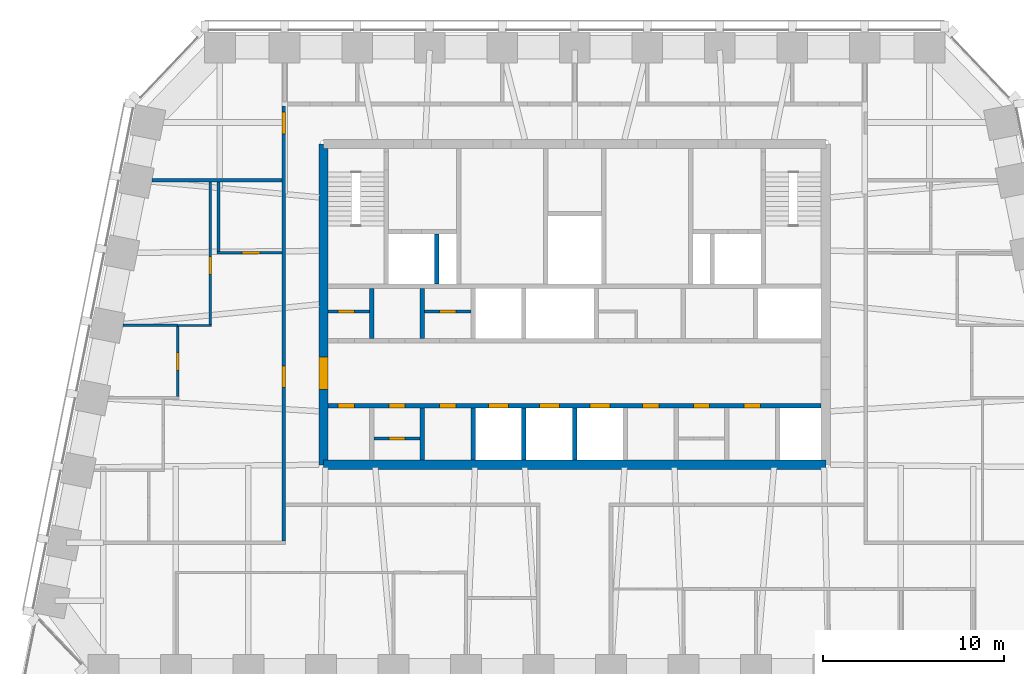
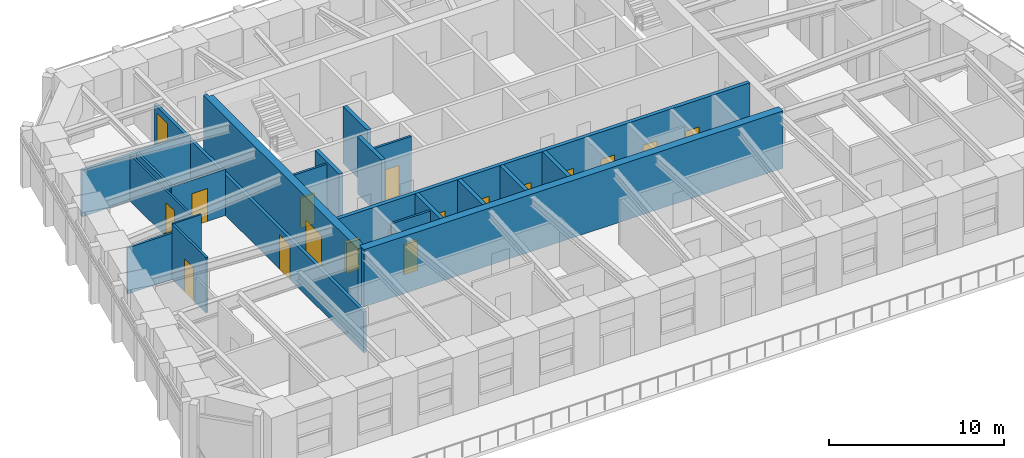
# One storey, part 5 of 11: 21 walls, 18 doors, 18 openings.
"""IFC4 building model written with IfcOpenShell, lengths in metres."""

from ifc_helpers import new_model, si_unit, direction, frame, frame_2d, origin, place, context, subcontext, project, spatial, polyline, rectangle, outline, extrude, material, layer, layer_set, type_object, element, fill, save


model = new_model("IFC4")

# Units and contexts
model_context = context("Model", 3, precision=1e-05, world=origin(), true_north=direction((0.0, 1.0)))
body_context = subcontext(model_context, "Body", "Model", "MODEL_VIEW")
ifc_project = project(units=[si_unit("LENGTHUNIT", "METRE"), si_unit("AREAUNIT", "SQUARE_METRE"), si_unit("VOLUMEUNIT", "CUBIC_METRE"), si_unit("PLANEANGLEUNIT", "RADIAN"), si_unit("MASSUNIT", "GRAM", prefix="KILO")], contexts=[model_context])

# Site, building, storey
site_placement = place(None, origin())
site = spatial("IfcSite", under=ifc_project, at=site_placement, CompositionType="ELEMENT")
building_placement = place(site_placement, origin())
building = spatial("IfcBuilding", under=site, at=building_placement, Name="Isbrekke Arena Tower", CompositionType="ELEMENT")
storey_placement = place(building_placement, frame((0.0, 0.0, 284.0)))
storey = spatial("IfcBuildingStorey", under=building, at=storey_placement, Name="L66", CompositionType="ELEMENT", Elevation=284.0)

# Wall
ifc_material_1 = material(Name="Concrete B55 (C55/67)", Category="concrete")
ifc_layer_1 = layer(ifc_material_1, 0.5)
ifc_layer_set_1 = layer_set([ifc_layer_1], Name="CW5 CORE WALL 500")
wall_type_1 = type_object("IfcWallType", Name="CW5 CORE WALL 500", PredefinedType="SHEAR", material=ifc_layer_set_1)
wall_1_placement = place(storey_placement, frame((-13.85009765625, 6.14990234375, 0.0), z_axis=(0.0, 0.0, 1.0), x_axis=(1.0, 0.0, 0.0)))
element("IfcWall", 1, at=wall_1_placement, inside=storey, type_object=wall_type_1, Name="Core wall S L66", PredefinedType="SHEAR", context=body_context, shape_type="SweptSolid", body=[
    extrude(rectangle(XDim=27.7001953125, YDim=0.5, at=frame_2d((13.85009765625, 0.0))), origin(), (0.0, 0.0, 1.0), 4.0),
])

# Wall, opening, door
wall_2_placement = place(storey_placement, frame((-13.85009765625, 23.85009765625, 0.0), z_axis=(0.0, 0.0, 1.0), x_axis=(0.0, -1.0, 0.0)))
wall_2 = element("IfcWall", 2, at=wall_2_placement, inside=storey, type_object=wall_type_1, Name="Core wall W L66", PredefinedType="SHEAR", context=body_context, shape_type="SweptSolid", body=[
    extrude(outline(polyline([(0.0, -0.25), (17.7001953125, -0.25), (17.7001953125, 0.0), (17.4501953125, 0.0), (17.4501953125, 0.25), (0.25, 0.25), (0.25, 0.0), (0.0, 0.0), (0.0, -0.25)])), origin(), (0.0, 0.0, 1.0), 4.0),
])
opening_1_placement = place(wall_2_placement, frame((11.75, 0.0, 0.0)))
opening_1 = element("IfcOpeningElement", 3, at=opening_1_placement, cuts=wall_2, Name="Opening D1", PredefinedType="OPENING", context=body_context, shape_type="SweptSolid", body=[
    extrude(rectangle(XDim=1.800048828125, YDim=2.39990234375, at=frame_2d((0.89990234375, 1.199951171875))), frame((0.0, 0.264892578125, 0.0), z_axis=(0.0, -1.0, 0.0), x_axis=(1.0, 0.0, 0.0)), (0.0, 0.0, 1.0), 0.52978515625),
])
ifc_material_2 = material(Name="Steel-framed glazed fire door", Category="steel")
door_type_1 = type_object("IfcDoorType", Name="D1 CORE LOBBY DOOR 1800 x 2400", OperationType="DOUBLE_DOOR_SINGLE_SWING", PredefinedType="DOOR", material=ifc_material_2)
door_1_placement = place(opening_1_placement, origin())
door_1 = element("IfcDoor", 4, at=door_1_placement, inside=storey, type_object=door_type_1, Name="D1 lift lobby door west L66", OperationType="DOUBLE_DOOR_SINGLE_SWING", OverallHeight=2.39990234375, OverallWidth=1.800048828125, PredefinedType="DOOR", context=body_context, shape_type="SweptSolid", body=[
    extrude(rectangle(XDim=1.800048828125, YDim=2.39990234375, at=frame_2d((0.89990234375, 1.199951171875))), frame((0.0, 0.249755859375, 0.0), z_axis=(0.0, -1.0, 0.0), x_axis=(1.0, 0.0, 0.0)), (0.0, 0.0, 1.0), 0.49951171875),
])
fill(opening_1, door_1)

# Wall, openings, doors
ifc_material_3 = material(Name="Concrete B45 (C45/55)", Category="concrete")
ifc_layer_2 = layer(ifc_material_3, 0.25)
ifc_layer_set_2 = layer_set([ifc_layer_2], Name="CW6 SHAFT WALL 250")
wall_type_2 = type_object("IfcWallType", Name="CW6 SHAFT WALL 250", PredefinedType="SHEAR", material=ifc_layer_set_2)
wall_3_placement = place(storey_placement, frame((-13.60009765625, 9.39990234375, 0.0), z_axis=(0.0, 0.0, 1.0), x_axis=(1.0, 0.0, 0.0)))
wall_3 = element("IfcWall", 5, at=wall_3_placement, inside=storey, type_object=wall_type_2, Name="Core wall LS L66", PredefinedType="SHEAR", context=body_context, shape_type="SweptSolid", body=[
    extrude(rectangle(XDim=27.2001953125, YDim=0.25, at=frame_2d((13.60009765625, 0.0))), origin(), (0.0, 0.0, 1.0), 4.0),
])
opening_2_placement = place(wall_3_placement, frame((8.85009765625, 0.0, 0.0)))
opening_2 = element("IfcOpeningElement", 6, at=opening_2_placement, cuts=wall_3, Name="Opening LD1", PredefinedType="OPENING", context=body_context, shape_type="SweptSolid", body=[
    extrude(rectangle(XDim=1.10009765625, YDim=2.10009765625, at=frame_2d((0.550048828125, 1.050048828125))), frame((0.0, 0.139892578125, 0.0), z_axis=(0.0, -1.0, 0.0), x_axis=(1.0, 0.0, 0.0)), (0.0, 0.0, 1.0), 0.27978515625),
])
opening_3_placement = place(wall_3_placement, frame((11.64990234375, 0.0, 0.0)))
opening_3 = element("IfcOpeningElement", 7, at=opening_3_placement, cuts=wall_3, Name="Opening LD1", PredefinedType="OPENING", context=body_context, shape_type="SweptSolid", body=[
    extrude(rectangle(XDim=1.10009765625, YDim=2.10009765625, at=frame_2d((0.550048828125, 1.050048828125))), frame((0.0, 0.139892578125, 0.0), z_axis=(0.0, -1.0, 0.0), x_axis=(1.0, 0.0, 0.0)), (0.0, 0.0, 1.0), 0.27978515625),
])
opening_4_placement = place(wall_3_placement, frame((14.449951171875, 0.0, 0.0)))
opening_4 = element("IfcOpeningElement", 8, at=opening_4_placement, cuts=wall_3, Name="Opening LD1", PredefinedType="OPENING", context=body_context, shape_type="SweptSolid", body=[
    extrude(rectangle(XDim=1.10009765625, YDim=2.10009765625, at=frame_2d((0.550048828125, 1.050048828125))), frame((0.0, 0.139892578125, 0.0), z_axis=(0.0, -1.0, 0.0), x_axis=(1.0, 0.0, 0.0)), (0.0, 0.0, 1.0), 0.27978515625),
])
opening_5_placement = place(wall_3_placement, frame((0.550048828125, 0.0, 0.0)))
opening_5 = element("IfcOpeningElement", 9, at=opening_5_placement, cuts=wall_3, Name="Opening D5", PredefinedType="OPENING", context=body_context, shape_type="SweptSolid", body=[
    extrude(rectangle(XDim=0.89990234375, YDim=2.10009765625, at=frame_2d((0.449951171875, 1.050048828125))), frame((0.0, 0.139892578125, 0.0), z_axis=(0.0, -1.0, 0.0), x_axis=(1.0, 0.0, 0.0)), (0.0, 0.0, 1.0), 0.27978515625),
])
opening_6_placement = place(wall_3_placement, frame((3.35009765625, 0.0, 0.0)))
opening_6 = element("IfcOpeningElement", 10, at=opening_6_placement, cuts=wall_3, Name="Opening D5", PredefinedType="OPENING", context=body_context, shape_type="SweptSolid", body=[
    extrude(rectangle(XDim=0.89990234375, YDim=2.10009765625, at=frame_2d((0.449951171875, 1.050048828125))), frame((0.0, 0.139892578125, 0.0), z_axis=(0.0, -1.0, 0.0), x_axis=(1.0, 0.0, 0.0)), (0.0, 0.0, 1.0), 0.27978515625),
])
opening_7_placement = place(wall_3_placement, frame((6.14990234375, 0.0, 0.0)))
opening_7 = element("IfcOpeningElement", 11, at=opening_7_placement, cuts=wall_3, Name="Opening D5", PredefinedType="OPENING", context=body_context, shape_type="SweptSolid", body=[
    extrude(rectangle(XDim=0.89990234375, YDim=2.10009765625, at=frame_2d((0.449951171875, 1.050048828125))), frame((0.0, 0.139892578125, 0.0), z_axis=(0.0, -1.0, 0.0), x_axis=(1.0, 0.0, 0.0)), (0.0, 0.0, 1.0), 0.27978515625),
])
opening_8_placement = place(wall_3_placement, frame((17.35009765625, 0.0, 0.0)))
opening_8 = element("IfcOpeningElement", 12, at=opening_8_placement, cuts=wall_3, Name="Opening D5", PredefinedType="OPENING", context=body_context, shape_type="SweptSolid", body=[
    extrude(rectangle(XDim=0.89990234375, YDim=2.10009765625, at=frame_2d((0.449951171875, 1.050048828125))), frame((0.0, 0.139892578125, 0.0), z_axis=(0.0, -1.0, 0.0), x_axis=(1.0, 0.0, 0.0)), (0.0, 0.0, 1.0), 0.27978515625),
])
opening_9_placement = place(wall_3_placement, frame((20.14990234375, 0.0, 0.0)))
opening_9 = element("IfcOpeningElement", 13, at=opening_9_placement, cuts=wall_3, Name="Opening D5", PredefinedType="OPENING", context=body_context, shape_type="SweptSolid", body=[
    extrude(rectangle(XDim=0.89990234375, YDim=2.10009765625, at=frame_2d((0.449951171875, 1.050048828125))), frame((0.0, 0.139892578125, 0.0), z_axis=(0.0, -1.0, 0.0), x_axis=(1.0, 0.0, 0.0)), (0.0, 0.0, 1.0), 0.27978515625),
])
opening_10_placement = place(wall_3_placement, frame((22.949951171875, 0.0, 0.0)))
opening_10 = element("IfcOpeningElement", 14, at=opening_10_placement, cuts=wall_3, Name="Opening D5", PredefinedType="OPENING", context=body_context, shape_type="SweptSolid", body=[
    extrude(rectangle(XDim=0.89990234375, YDim=2.10009765625, at=frame_2d((0.449951171875, 1.050048828125))), frame((0.0, 0.139892578125, 0.0), z_axis=(0.0, -1.0, 0.0), x_axis=(1.0, 0.0, 0.0)), (0.0, 0.0, 1.0), 0.27978515625),
])
ifc_material_4 = material(Name="Steel fire door", Category="steel")
door_type_2 = type_object("IfcDoorType", Name="D5 SERVICE DOOR 900 x 2100", OperationType="SINGLE_SWING_LEFT", PredefinedType="DOOR", material=ifc_material_4)
door_2_placement = place(opening_5_placement, origin())
door_2 = element("IfcDoor", 15, at=door_2_placement, inside=storey, type_object=door_type_2, Name="D5 print room door L66", OperationType="SINGLE_SWING_LEFT", OverallHeight=2.10009765625, OverallWidth=0.89990234375, PredefinedType="DOOR", context=body_context, shape_type="SweptSolid", body=[
    extrude(rectangle(XDim=0.89990234375, YDim=2.10009765625, at=frame_2d((0.449951171875, 1.050048828125))), frame((0.0, 0.124755859375, 0.0), z_axis=(0.0, -1.0, 0.0), x_axis=(1.0, 0.0, 0.0)), (0.0, 0.0, 1.0), 0.24951171875),
])
fill(opening_5, door_2)
door_3_placement = place(opening_6_placement, origin())
door_3 = element("IfcDoor", 16, at=door_3_placement, inside=storey, type_object=door_type_2, Name="D5 pantry door L66", OperationType="SINGLE_SWING_LEFT", OverallHeight=2.10009765625, OverallWidth=0.89990234375, PredefinedType="DOOR", context=body_context, shape_type="SweptSolid", body=[
    extrude(rectangle(XDim=0.89990234375, YDim=2.10009765625, at=frame_2d((0.449951171875, 1.050048828125))), frame((0.0, 0.124755859375, 0.0), z_axis=(0.0, -1.0, 0.0), x_axis=(1.0, 0.0, 0.0)), (0.0, 0.0, 1.0), 0.24951171875),
])
fill(opening_6, door_3)
door_4_placement = place(opening_7_placement, origin())
door_4 = element("IfcDoor", 17, at=door_4_placement, inside=storey, type_object=door_type_2, Name="D5 tenant store door L66", OperationType="SINGLE_SWING_LEFT", OverallHeight=2.10009765625, OverallWidth=0.89990234375, PredefinedType="DOOR", context=body_context, shape_type="SweptSolid", body=[
    extrude(rectangle(XDim=0.89990234375, YDim=2.10009765625, at=frame_2d((0.449951171875, 1.050048828125))), frame((0.0, 0.124755859375, 0.0), z_axis=(0.0, -1.0, 0.0), x_axis=(1.0, 0.0, 0.0)), (0.0, 0.0, 1.0), 0.24951171875),
])
fill(opening_7, door_4)
door_5_placement = place(opening_8_placement, origin())
door_5 = element("IfcDoor", 18, at=door_5_placement, inside=storey, type_object=door_type_2, Name="D5 technical room door L66", OperationType="SINGLE_SWING_LEFT", OverallHeight=2.10009765625, OverallWidth=0.89990234375, PredefinedType="DOOR", context=body_context, shape_type="SweptSolid", body=[
    extrude(rectangle(XDim=0.89990234375, YDim=2.10009765625, at=frame_2d((0.449951171875, 1.050048828125))), frame((0.0, 0.124755859375, 0.0), z_axis=(0.0, -1.0, 0.0), x_axis=(1.0, 0.0, 0.0)), (0.0, 0.0, 1.0), 0.24951171875),
])
fill(opening_8, door_5)
door_6_placement = place(opening_9_placement, origin())
door_6 = element("IfcDoor", 19, at=door_6_placement, inside=storey, type_object=door_type_2, Name="D5 tea point door L66", OperationType="SINGLE_SWING_LEFT", OverallHeight=2.10009765625, OverallWidth=0.89990234375, PredefinedType="DOOR", context=body_context, shape_type="SweptSolid", body=[
    extrude(rectangle(XDim=0.89990234375, YDim=2.10009765625, at=frame_2d((0.449951171875, 1.050048828125))), frame((0.0, 0.124755859375, 0.0), z_axis=(0.0, -1.0, 0.0), x_axis=(1.0, 0.0, 0.0)), (0.0, 0.0, 1.0), 0.24951171875),
])
fill(opening_9, door_6)
door_7_placement = place(opening_10_placement, origin())
door_7 = element("IfcDoor", 20, at=door_7_placement, inside=storey, type_object=door_type_2, Name="D5 print room door L66", OperationType="SINGLE_SWING_LEFT", OverallHeight=2.10009765625, OverallWidth=0.89990234375, PredefinedType="DOOR", context=body_context, shape_type="SweptSolid", body=[
    extrude(rectangle(XDim=0.89990234375, YDim=2.10009765625, at=frame_2d((0.449951171875, 1.050048828125))), frame((0.0, 0.124755859375, 0.0), z_axis=(0.0, -1.0, 0.0), x_axis=(1.0, 0.0, 0.0)), (0.0, 0.0, 1.0), 0.24951171875),
])
fill(opening_10, door_7)
ifc_material_5 = material(Name="Stainless steel lift landing door", Category="steel")
door_type_3 = type_object("IfcDoorType", Name="LD1 LIFT LANDING DOOR 1100 x 2100", OperationType="SLIDING_TO_LEFT", PredefinedType="DOOR", material=ifc_material_5)
door_8_placement = place(opening_2_placement, origin())
door_8 = element("IfcDoor", 21, at=door_8_placement, inside=storey, type_object=door_type_3, Name="LD1 lift landing door LE L66", OperationType="SLIDING_TO_LEFT", OverallHeight=2.10009765625, OverallWidth=1.10009765625, PredefinedType="DOOR", context=body_context, shape_type="SweptSolid", body=[
    extrude(rectangle(XDim=1.10009765625, YDim=2.10009765625, at=frame_2d((0.550048828125, 1.050048828125))), frame((0.0, 0.124755859375, 0.0), z_axis=(0.0, -1.0, 0.0), x_axis=(1.0, 0.0, 0.0)), (0.0, 0.0, 1.0), 0.24951171875),
])
fill(opening_2, door_8)
door_9_placement = place(opening_3_placement, origin())
door_9 = element("IfcDoor", 22, at=door_9_placement, inside=storey, type_object=door_type_3, Name="LD1 lift landing door LE L66", OperationType="SLIDING_TO_LEFT", OverallHeight=2.10009765625, OverallWidth=1.10009765625, PredefinedType="DOOR", context=body_context, shape_type="SweptSolid", body=[
    extrude(rectangle(XDim=1.10009765625, YDim=2.10009765625, at=frame_2d((0.550048828125, 1.050048828125))), frame((0.0, 0.124755859375, 0.0), z_axis=(0.0, -1.0, 0.0), x_axis=(1.0, 0.0, 0.0)), (0.0, 0.0, 1.0), 0.24951171875),
])
fill(opening_3, door_9)
door_10_placement = place(opening_4_placement, origin())
door_10 = element("IfcDoor", 23, at=door_10_placement, inside=storey, type_object=door_type_3, Name="LD1 lift landing door LE L66", OperationType="SLIDING_TO_LEFT", OverallHeight=2.10009765625, OverallWidth=1.10009765625, PredefinedType="DOOR", context=body_context, shape_type="SweptSolid", body=[
    extrude(rectangle(XDim=1.10009765625, YDim=2.10009765625, at=frame_2d((0.550048828125, 1.050048828125))), frame((0.0, 0.124755859375, 0.0), z_axis=(0.0, -1.0, 0.0), x_axis=(1.0, 0.0, 0.0)), (0.0, 0.0, 1.0), 0.24951171875),
])
fill(opening_4, door_10)

# Walls
for number, where, z_axis, x_axis, name in (
    (24, (-8.39990234375, 6.39990234375, 0.0), (0.0, 0.0, 1.0), (0.0, 1.0, 0.0), "Core wall SS02 L66"),
    (25, (-5.60009765625, 6.39990234375, 0.0), (0.0, 0.0, 1.0), (0.0, 1.0, 0.0), "Core wall SS03 L66"),
    (26, (-2.800048828125, 6.39990234375, 0.0), (0.0, 0.0, 1.0), (0.0, 1.0, 0.0), "Core wall SS04 L66"),
    (27, (0.0, 6.39990234375, 0.0), (0.0, 0.0, 1.0), (0.0, 1.0, 0.0), "Core wall SS05 L66"),
):
    element("IfcWall", number, at=place(storey_placement, frame(where, z_axis=z_axis, x_axis=x_axis)), inside=storey, type_object=wall_type_2, Name=name, PredefinedType="SHEAR", context=body_context, shape_type="SweptSolid", body=[
        extrude(rectangle(XDim=2.875, YDim=0.25, at=frame_2d((1.4375, 0.0))), origin(), (0.0, 0.0, 1.0), 4.0),
    ])
for number, where, z_axis, x_axis, name in (
    (28, (-11.199951171875, 13.125, 0.0), (0.0, 0.0, 1.0), (0.0, 1.0, 0.0), "Core wall SN01 L66"),
    (29, (-8.39990234375, 13.125, 0.0), (0.0, 0.0, 1.0), (0.0, 1.0, 0.0), "Core wall SN02 L66"),
    (30, (-7.60009765625, 16.125, 0.0), (0.0, 0.0, 1.0), (0.0, 1.0, 0.0), "Core wall NFS1 L66"),
):
    element("IfcWall", number, at=place(storey_placement, frame(where, z_axis=z_axis, x_axis=x_axis)), inside=storey, type_object=wall_type_2, Name=name, PredefinedType="SHEAR", context=body_context, shape_type="SweptSolid", body=[
        extrude(rectangle(XDim=2.75, YDim=0.25, at=frame_2d((1.375, 0.0))), origin(), (0.0, 0.0, 1.0), 4.0),
    ])
ifc_material_6 = material(Name="Gypsum board partition on steel studs", Category="steel")
ifc_layer_3 = layer(ifc_material_6, 0.14990234375)
ifc_layer_set_3 = layer_set([ifc_layer_3], Name="IW1 PARTITION 150")
wall_type_3 = type_object("IfcWallType", Name="IW1 PARTITION 150", PredefinedType="PARTITIONING", material=ifc_layer_set_3)
wall_4_placement = place(storey_placement, frame((-24.923828125, 13.840087890625, 0.0), z_axis=(0.0, 0.0, 1.0), x_axis=(1.0, 0.0, 0.0)))
element("IfcWall", 31, at=wall_4_placement, inside=storey, type_object=wall_type_3, Name="IW1 partition 150 L66", PredefinedType="PARTITIONING", context=body_context, shape_type="SweptSolid", body=[
    extrude(rectangle(XDim=3.02392578125, YDim=0.14990234375, at=frame_2d((1.511962890625, 0.0))), origin(), (0.0, 0.0, 1.0), 3.22998046875),
])

# Wall, opening, door
wall_5_placement = place(storey_placement, frame((-19.72509765625, 17.840087890625, 0.0), z_axis=(0.0, 0.0, 1.0), x_axis=(1.0, 0.0, 0.0)))
wall_5 = element("IfcWall", 32, at=wall_5_placement, inside=storey, type_object=wall_type_3, Name="IW1 partition 150 L66", PredefinedType="PARTITIONING", context=body_context, shape_type="SweptSolid", body=[
    extrude(rectangle(XDim=3.5751953125, YDim=0.14990234375, at=frame_2d((1.78759765625, 0.0))), origin(), (0.0, 0.0, 1.0), 3.22998046875),
])
opening_11_placement = place(wall_5_placement, frame((1.375, 0.0, 0.0)))
opening_11 = element("IfcOpeningElement", 33, at=opening_11_placement, cuts=wall_5, Name="Opening D10", PredefinedType="OPENING", context=body_context, shape_type="SweptSolid", body=[
    extrude(rectangle(XDim=1.0, YDim=2.300048828125, at=frame_2d((0.5, 1.14990234375))), frame((0.0, 0.08984375, 0.0), z_axis=(0.0, -1.0, 0.0), x_axis=(1.0, 0.0, 0.0)), (0.0, 0.0, 1.0), 0.1796875),
])
ifc_material_7 = material(Name="Timber door", Category="wood")
door_type_4 = type_object("IfcDoorType", Name="D10 OFFICE DOOR 1000 x 2300", OperationType="SINGLE_SWING_LEFT", PredefinedType="DOOR", material=ifc_material_7)
door_11_placement = place(opening_11_placement, origin())
door_11 = element("IfcDoor", 34, at=door_11_placement, inside=storey, type_object=door_type_4, Name="D10 print room door L66", OperationType="SINGLE_SWING_LEFT", OverallHeight=2.300048828125, OverallWidth=1.0, PredefinedType="DOOR", context=body_context, shape_type="SweptSolid", body=[
    extrude(rectangle(XDim=1.0, YDim=2.300048828125, at=frame_2d((0.5, 1.14990234375))), frame((0.0, 0.07470703125, 0.0), z_axis=(0.0, -1.0, 0.0), x_axis=(1.0, 0.0, 0.0)), (0.0, 0.0, 1.0), 0.1494140625),
])
fill(opening_11, door_11)

wall_6_placement = place(storey_placement, frame((-21.89990234375, 9.9150390625, 0.0), z_axis=(0.0, 0.0, 1.0), x_axis=(0.0, 1.0, 0.0)))
wall_6 = element("IfcWall", 35, at=wall_6_placement, inside=storey, type_object=wall_type_3, Name="IW1 partition 150 L66", PredefinedType="PARTITIONING", context=body_context, shape_type="SweptSolid", body=[
    extrude(rectangle(XDim=3.849853515625, YDim=0.14990234375, at=frame_2d((1.9248046875, 0.0))), origin(), (0.0, 0.0, 1.0), 3.85009765625),
])
opening_12_placement = place(wall_6_placement, frame((1.425048828125, 0.0, 0.0)))
opening_12 = element("IfcOpeningElement", 36, at=opening_12_placement, cuts=wall_6, Name="Opening D10", PredefinedType="OPENING", context=body_context, shape_type="SweptSolid", body=[
    extrude(rectangle(XDim=1.0, YDim=2.300048828125, at=frame_2d((0.5, 1.14990234375))), frame((0.0, 0.08984375, 0.0), z_axis=(0.0, -1.0, 0.0), x_axis=(1.0, 0.0, 0.0)), (0.0, 0.0, 1.0), 0.1796875),
])
door_12_placement = place(opening_12_placement, origin())
door_12 = element("IfcDoor", 37, at=door_12_placement, inside=storey, type_object=door_type_4, Name="D10 office door L66", OperationType="SINGLE_SWING_LEFT", OverallHeight=2.300048828125, OverallWidth=1.0, PredefinedType="DOOR", context=body_context, shape_type="SweptSolid", body=[
    extrude(rectangle(XDim=1.0, YDim=2.300048828125, at=frame_2d((0.5, 1.14990234375))), frame((0.0, 0.07470703125, 0.0), z_axis=(0.0, -1.0, 0.0), x_axis=(1.0, 0.0, 0.0)), (0.0, 0.0, 1.0), 0.1494140625),
])
fill(opening_12, door_12)

# Walls
wall_7_placement = place(storey_placement, frame((-19.64990234375, 17.9150390625, 0.0), z_axis=(0.0, 0.0, 1.0), x_axis=(0.0, 1.0, 0.0)))
element("IfcWall", 38, at=wall_7_placement, inside=storey, type_object=wall_type_3, Name="IW1 partition 150 L66", PredefinedType="PARTITIONING", context=body_context, shape_type="SweptSolid", body=[
    extrude(rectangle(XDim=3.824951171875, YDim=0.14990234375, at=frame_2d((1.91259765625, 0.0))), origin(), (0.0, 0.0, 1.0), 3.22998046875),
])
ifc_material_8 = material(Name="Frameless glazed partition, laminated acoustic glass", Category="glass")
ifc_layer_4 = layer(ifc_material_8, 0.1201171875)
ifc_layer_set_4 = layer_set([ifc_layer_4], Name="IW2 GLAZED PARTITION 120")
wall_type_4 = type_object("IfcWallType", Name="IW2 GLAZED PARTITION 120", PredefinedType="PARTITIONING", material=ifc_layer_set_4)
wall_8_placement = place(storey_placement, frame((-21.89990234375, 13.840087890625, 0.0), z_axis=(0.0, 0.0, 1.0), x_axis=(1.0, 0.0, 0.0)))
element("IfcWall", 39, at=wall_8_placement, inside=storey, type_object=wall_type_4, Name="IW2 glazed partition 120 L66", PredefinedType="PARTITIONING", context=body_context, shape_type="SweptSolid", body=[
    extrude(rectangle(XDim=1.85986328125, YDim=0.1201171875, at=frame_2d((0.929931640625, 0.0))), origin(), (0.0, 0.0, 1.0), 3.85009765625),
])

# Wall, opening, door
wall_9_placement = place(storey_placement, frame((-20.10009765625, 13.89990234375, 0.0), z_axis=(0.0, 0.0, 1.0), x_axis=(0.0, 1.0, 0.0)))
wall_9 = element("IfcWall", 40, at=wall_9_placement, inside=storey, type_object=wall_type_4, Name="IW2 glazed partition 120 L66", PredefinedType="PARTITIONING", context=body_context, shape_type="SweptSolid", body=[
    extrude(rectangle(XDim=7.840087890625, YDim=0.1201171875, at=frame_2d((3.919921875, 0.0))), origin(), (0.0, 0.0, 1.0), 3.22998046875),
])
opening_13_placement = place(wall_9_placement, frame((2.739990234375, 0.0, 0.0)))
opening_13 = element("IfcOpeningElement", 41, at=opening_13_placement, cuts=wall_9, Name="Opening D11", PredefinedType="OPENING", context=body_context, shape_type="SweptSolid", body=[
    extrude(rectangle(XDim=1.0, YDim=2.39990234375, at=frame_2d((0.5, 1.199951171875))), frame((0.0, 0.074951171875, 0.0), z_axis=(0.0, -1.0, 0.0), x_axis=(1.0, 0.0, 0.0)), (0.0, 0.0, 1.0), 0.14990234375),
])
ifc_material_9 = material(Name="Frameless glazed door", Category="glass")
door_type_5 = type_object("IfcDoorType", Name="D11 GLAZED MEETING ROOM DOOR 1000 x 2400", OperationType="SINGLE_SWING_RIGHT", PredefinedType="DOOR", material=ifc_material_9)
door_13_placement = place(opening_13_placement, origin())
door_13 = element("IfcDoor", 42, at=door_13_placement, inside=storey, type_object=door_type_5, Name="D11 meeting room door L66", OperationType="SINGLE_SWING_RIGHT", OverallHeight=2.39990234375, OverallWidth=1.0, PredefinedType="DOOR", context=body_context, shape_type="SweptSolid", body=[
    extrude(rectangle(XDim=1.0, YDim=2.39990234375, at=frame_2d((0.5, 1.199951171875))), frame((0.0, 0.059814453125, 0.0), z_axis=(0.0, -1.0, 0.0), x_axis=(1.0, 0.0, 0.0)), (0.0, 0.0, 1.0), 0.11962890625),
])
fill(opening_13, door_13)

# Wall
ifc_material_10 = material(Name="Gypsum board fire-cell wall on steel studs, two layers each side", Category="steel")
ifc_layer_5 = layer(ifc_material_10, 0.199951171875)
ifc_layer_set_5 = layer_set([ifc_layer_5], Name="IW3 FIRE-CELL WALL 200")
wall_type_5 = type_object("IfcWallType", Name="IW3 FIRE-CELL WALL 200", PredefinedType="PARTITIONING", material=ifc_layer_set_5)
wall_10_placement = place(storey_placement, frame((-23.32373046875, 21.840087890625, 0.0), z_axis=(0.0, 0.0, 1.0), x_axis=(1.0, 0.0, 0.0)))
element("IfcWall", 43, at=wall_10_placement, inside=storey, type_object=wall_type_5, Name="IW3 fire-cell wall 200 L66", PredefinedType="PARTITIONING", context=body_context, shape_type="SweptSolid", body=[
    extrude(rectangle(XDim=7.173828125, YDim=0.199951171875, at=frame_2d((3.5869140625, 0.0))), origin(), (0.0, 0.0, 1.0), 3.22998046875),
])

# Wall, openings, doors
wall_11_placement = place(storey_placement, frame((-16.050048828125, 1.93994140625, 0.0), z_axis=(0.0, 0.0, 1.0), x_axis=(0.0, 1.0, 0.0)))
wall_11 = element("IfcWall", 44, at=wall_11_placement, inside=storey, type_object=wall_type_5, Name="IW3 fire-cell wall 200 L66", PredefinedType="PARTITIONING", context=body_context, shape_type="SweptSolid", body=[
    extrude(rectangle(XDim=24.010009765625, YDim=0.199951171875, at=frame_2d((12.0048828125, 0.0))), origin(), (0.0, 0.0, 1.0), 2.842041015625),
])
opening_14_placement = place(wall_11_placement, frame((8.4599609375, 0.0, 0.0)))
opening_14 = element("IfcOpeningElement", 45, at=opening_14_placement, cuts=wall_11, Name="Opening D12", PredefinedType="OPENING", context=body_context, shape_type="SweptSolid", body=[
    extrude(rectangle(XDim=1.199951171875, YDim=2.39990234375, at=frame_2d((0.60009765625, 1.199951171875))), frame((0.0, 0.11474609375, 0.0), z_axis=(0.0, -1.0, 0.0), x_axis=(1.0, 0.0, 0.0)), (0.0, 0.0, 1.0), 0.229736328125),
])
opening_15_placement = place(wall_11_placement, frame((22.4599609375, 0.0, 0.0)))
opening_15 = element("IfcOpeningElement", 46, at=opening_15_placement, cuts=wall_11, Name="Opening D12", PredefinedType="OPENING", context=body_context, shape_type="SweptSolid", body=[
    extrude(rectangle(XDim=1.199951171875, YDim=2.39990234375, at=frame_2d((0.60009765625, 1.199951171875))), frame((0.0, 0.11474609375, 0.0), z_axis=(0.0, -1.0, 0.0), x_axis=(1.0, 0.0, 0.0)), (0.0, 0.0, 1.0), 0.229736328125),
])
ifc_material_11 = material(Name="Timber fire door with vision panel", Category="wood")
door_type_6 = type_object("IfcDoorType", Name="D12 SUITE ENTRANCE DOOR 1200 x 2400", OperationType="SINGLE_SWING_LEFT", PredefinedType="DOOR", material=ifc_material_11)
door_14_placement = place(opening_14_placement, origin())
door_14 = element("IfcDoor", 47, at=door_14_placement, inside=storey, type_object=door_type_6, Name="D12 suite entrance W door L66", OperationType="SINGLE_SWING_LEFT", OverallHeight=2.39990234375, OverallWidth=1.199951171875, PredefinedType="DOOR", context=body_context, shape_type="SweptSolid", body=[
    extrude(rectangle(XDim=1.199951171875, YDim=2.39990234375, at=frame_2d((0.60009765625, 1.199951171875))), frame((0.0, 0.099609375, 0.0), z_axis=(0.0, -1.0, 0.0), x_axis=(1.0, 0.0, 0.0)), (0.0, 0.0, 1.0), 0.199462890625),
])
fill(opening_14, door_14)
door_15_placement = place(opening_15_placement, origin())
door_15 = element("IfcDoor", 48, at=door_15_placement, inside=storey, type_object=door_type_6, Name="D12 suite entrance NCW door L66", OperationType="SINGLE_SWING_LEFT", OverallHeight=2.39990234375, OverallWidth=1.199951171875, PredefinedType="DOOR", context=body_context, shape_type="SweptSolid", body=[
    extrude(rectangle(XDim=1.199951171875, YDim=2.39990234375, at=frame_2d((0.60009765625, 1.199951171875))), frame((0.0, 0.099609375, 0.0), z_axis=(0.0, -1.0, 0.0), x_axis=(1.0, 0.0, 0.0)), (0.0, 0.0, 1.0), 0.199462890625),
])
fill(opening_15, door_15)

# Wall, opening, door
ifc_material_12 = material(Name="Gypsum board fire-rated partition on steel studs, two layers each side", Category="steel")
ifc_layer_6 = layer(ifc_material_12, 0.14990234375)
ifc_layer_set_6 = layer_set([ifc_layer_6], Name="IW5 FIRE-RATED PARTITION 150")
wall_type_6 = type_object("IfcWallType", Name="IW5 FIRE-RATED PARTITION 150", PredefinedType="PARTITIONING", material=ifc_layer_set_6)
wall_12_placement = place(storey_placement, frame((-13.60009765625, 14.60009765625, 0.0), z_axis=(0.0, 0.0, 1.0), x_axis=(1.0, 0.0, 0.0)))
wall_12 = element("IfcWall", 49, at=wall_12_placement, inside=storey, type_object=wall_type_6, Name="IW5 fire-rated partition L66 core service rooms 3", PredefinedType="PARTITIONING", context=body_context, shape_type="SweptSolid", body=[
    extrude(rectangle(XDim=2.275146484375, YDim=0.14990234375, at=frame_2d((1.1376953125, 0.0))), origin(), (0.0, 0.0, 1.0), 3.85009765625),
])
opening_16_placement = place(wall_12_placement, frame((0.550048828125, 0.0, 0.0)))
opening_16 = element("IfcOpeningElement", 50, at=opening_16_placement, cuts=wall_12, Name="Opening D5", PredefinedType="OPENING", context=body_context, shape_type="SweptSolid", body=[
    extrude(rectangle(XDim=0.89990234375, YDim=2.10009765625, at=frame_2d((0.449951171875, 1.050048828125))), frame((0.0, 0.08984375, 0.0), z_axis=(0.0, -1.0, 0.0), x_axis=(1.0, 0.0, 0.0)), (0.0, 0.0, 1.0), 0.1796875),
])
door_16_placement = place(opening_16_placement, origin())
door_16 = element("IfcDoor", 51, at=door_16_placement, inside=storey, type_object=door_type_2, Name="D5 store door L66", OperationType="SINGLE_SWING_LEFT", OverallHeight=2.10009765625, OverallWidth=0.89990234375, PredefinedType="DOOR", context=body_context, shape_type="SweptSolid", body=[
    extrude(rectangle(XDim=0.89990234375, YDim=2.10009765625, at=frame_2d((0.449951171875, 1.050048828125))), frame((0.0, 0.07470703125, 0.0), z_axis=(0.0, -1.0, 0.0), x_axis=(1.0, 0.0, 0.0)), (0.0, 0.0, 1.0), 0.1494140625),
])
fill(opening_16, door_16)

wall_13_placement = place(storey_placement, frame((-8.27490234375, 14.60009765625, 0.0), z_axis=(0.0, 0.0, 1.0), x_axis=(1.0, 0.0, 0.0)))
wall_13 = element("IfcWall", 52, at=wall_13_placement, inside=storey, type_object=wall_type_6, Name="IW5 fire-rated partition L66 core service rooms 4", PredefinedType="PARTITIONING", context=body_context, shape_type="SweptSolid", body=[
    extrude(rectangle(XDim=2.5498046875, YDim=0.14990234375, at=frame_2d((1.27490234375, 0.0))), origin(), (0.0, 0.0, 1.0), 3.85009765625),
])
opening_17_placement = place(wall_13_placement, frame((0.824951171875, 0.0, 0.0)))
opening_17 = element("IfcOpeningElement", 53, at=opening_17_placement, cuts=wall_13, Name="Opening D5", PredefinedType="OPENING", context=body_context, shape_type="SweptSolid", body=[
    extrude(rectangle(XDim=0.89990234375, YDim=2.10009765625, at=frame_2d((0.449951171875, 1.050048828125))), frame((0.0, 0.08984375, 0.0), z_axis=(0.0, -1.0, 0.0), x_axis=(1.0, 0.0, 0.0)), (0.0, 0.0, 1.0), 0.1796875),
])
door_17_placement = place(opening_17_placement, origin())
door_17 = element("IfcDoor", 54, at=door_17_placement, inside=storey, type_object=door_type_2, Name="D5 archive door L66", OperationType="SINGLE_SWING_LEFT", OverallHeight=2.10009765625, OverallWidth=0.89990234375, PredefinedType="DOOR", context=body_context, shape_type="SweptSolid", body=[
    extrude(rectangle(XDim=0.89990234375, YDim=2.10009765625, at=frame_2d((0.449951171875, 1.050048828125))), frame((0.0, 0.07470703125, 0.0), z_axis=(0.0, -1.0, 0.0), x_axis=(1.0, 0.0, 0.0)), (0.0, 0.0, 1.0), 0.1494140625),
])
fill(opening_17, door_17)

wall_14_placement = place(storey_placement, frame((-11.074951171875, 7.60009765625, 0.0), z_axis=(0.0, 0.0, 1.0), x_axis=(1.0, 0.0, 0.0)))
wall_14 = element("IfcWall", 55, at=wall_14_placement, inside=storey, type_object=wall_type_6, Name="IW5 fire-rated partition L66 core service rooms 5", PredefinedType="PARTITIONING", context=body_context, shape_type="SweptSolid", body=[
    extrude(rectangle(XDim=2.550048828125, YDim=0.14990234375, at=frame_2d((1.27490234375, 0.0))), origin(), (0.0, 0.0, 1.0), 3.85009765625),
])
opening_18_placement = place(wall_14_placement, frame((0.824951171875, 0.0, 0.0)))
opening_18 = element("IfcOpeningElement", 56, at=opening_18_placement, cuts=wall_14, Name="Opening D5", PredefinedType="OPENING", context=body_context, shape_type="SweptSolid", body=[
    extrude(rectangle(XDim=0.89990234375, YDim=2.10009765625, at=frame_2d((0.449951171875, 1.050048828125))), frame((0.0, 0.08984375, 0.0), z_axis=(0.0, -1.0, 0.0), x_axis=(1.0, 0.0, 0.0)), (0.0, 0.0, 1.0), 0.1796875),
])
door_18_placement = place(opening_18_placement, origin())
door_18 = element("IfcDoor", 57, at=door_18_placement, inside=storey, type_object=door_type_2, Name="D5 tenant store door L66", OperationType="SINGLE_SWING_LEFT", OverallHeight=2.10009765625, OverallWidth=0.89990234375, PredefinedType="DOOR", context=body_context, shape_type="SweptSolid", body=[
    extrude(rectangle(XDim=0.89990234375, YDim=2.10009765625, at=frame_2d((0.449951171875, 1.050048828125))), frame((0.0, 0.07470703125, 0.0), z_axis=(0.0, -1.0, 0.0), x_axis=(1.0, 0.0, 0.0)), (0.0, 0.0, 1.0), 0.1494140625),
])
fill(opening_18, door_18)

save(model, "model.ifc")
